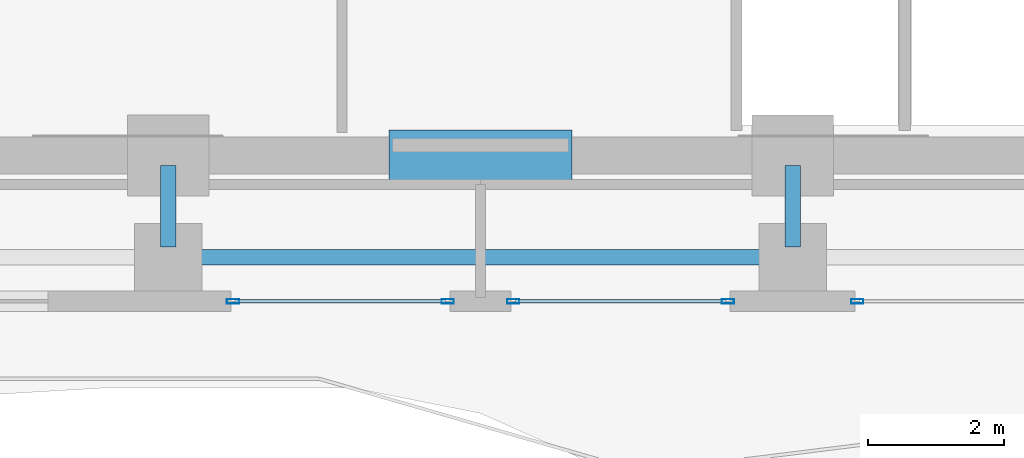
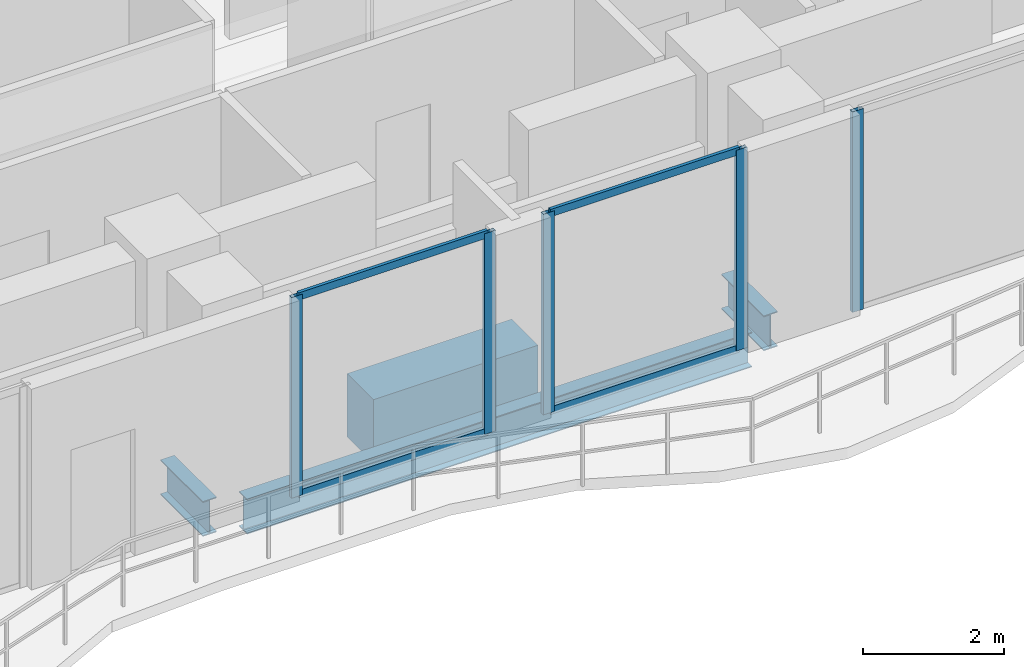
# One storey, part 4 of 23: 9 members, 4 beams, 3 elements without a shape of their own.
"""IFC4 building model written with IfcOpenShell, lengths in metres."""

from ifc_helpers import new_model, si_unit, direction, frame, origin, origin_2d, place, context, subcontext, project, spatial, rectangle, hollow_rectangle, i_section, extrude, material, layer, layer_set, material_profile, profile_set, type_object, element, aggregate, save


model = new_model("IFC4")

# Units and contexts
model_context = context("Model", 3, precision=1e-05, world=origin(), true_north=direction((0.0, 1.0)))
body_context = subcontext(model_context, "Body", "Model", "MODEL_VIEW")
ifc_project = project(units=[si_unit("LENGTHUNIT", "METRE"), si_unit("AREAUNIT", "SQUARE_METRE"), si_unit("VOLUMEUNIT", "CUBIC_METRE"), si_unit("PLANEANGLEUNIT", "RADIAN"), si_unit("MASSUNIT", "GRAM", prefix="KILO")], contexts=[model_context])

# Site, building, storey
site_placement = place(None, origin())
site = spatial("IfcSite", under=ifc_project, at=site_placement, CompositionType="ELEMENT")
building_placement = place(site_placement, origin())
building = spatial("IfcBuilding", under=site, at=building_placement, Name="Zuhayl Quay Hotel", CompositionType="ELEMENT")
storey_placement = place(building_placement, frame((0.0, 0.0, 261.85009765625)))
storey = spatial("IfcBuildingStorey", under=building, at=storey_placement, Name="L66", CompositionType="ELEMENT", Elevation=261.85009765625)

# Beams
ifc_material_1 = material(Name="Steel ASTM A992 Grade 50", Category="steel")
ifc_material_profile_1 = material_profile(ifc_material_1, i_section(OverallWidth=0.22802734375, OverallDepth=0.60693359375, WebThickness=0.01123046875, FlangeThickness=0.017333984375, at=origin_2d()), Name="W24X76")
ifc_profile_set_1 = profile_set([ifc_material_profile_1], Name="Steel ASTM A992 Grade 50")
beam_type_1 = type_object("IfcBeamType", Name="BM_B3_W24X76", PredefinedType="BEAM", material=ifc_profile_set_1)
beam_1_placement = place(storey_placement, frame((-4.139892578125, 0.64990234375, -0.523681640625), z_axis=(1.0, 0.0, 0.0), x_axis=(0.0, 1.0, 0.0)))
element("IfcBeam", 1, at=beam_1_placement, inside=storey, type_object=beam_type_1, Name="L66 Floor Beam RG_L66_02", PredefinedType="BEAM", context=body_context, shape_type="SweptSolid", body=[
    extrude(i_section(OverallWidth=0.22802734375, OverallDepth=0.60693359375, WebThickness=0.01123046875, FlangeThickness=0.017333984375, at=origin_2d()), origin(), (0.0, 0.0, 1.0), 8.27978515625),
])
for number, where, z_axis, x_axis, name in (
    (2, (-4.60009765625, 0.800048828125, -0.523681640625), (0.0, 1.0, 0.0), (-1.0, 0.0, 0.0), "L66 Floor Beam FG_S_L66_2"),
    (3, (4.60009765625, 0.800048828125, -0.523681640625), (0.0, 1.0, 0.0), (-1.0, 0.0, 0.0), "L66 Floor Beam FG_S_L66_3"),
):
    element("IfcBeam", number, at=place(storey_placement, frame(where, z_axis=z_axis, x_axis=x_axis)), inside=storey, type_object=beam_type_1, Name=name, PredefinedType="BEAM", context=body_context, shape_type="SweptSolid", body=[
        extrude(i_section(OverallWidth=0.22802734375, OverallDepth=0.60693359375, WebThickness=0.01123046875, FlangeThickness=0.017333984375, at=origin_2d()), origin(), (0.0, 0.0, 1.0), 1.199951171875),
    ])
ifc_material_2 = material(Name="Concrete C60/75", Category="concrete")
ifc_material_profile_2 = material_profile(ifc_material_2, rectangle(XDim=0.75, YDim=1.10009765625, at=origin_2d()), Name="RC750X1100")
ifc_profile_set_2 = profile_set([ifc_material_profile_2], Name="Concrete C60/75")
beam_type_2 = type_object("IfcBeamType", Name="BM_CB2_RC750", PredefinedType="T_BEAM", material=ifc_profile_set_2)
beam_2_placement = place(storey_placement, frame((-1.35009765625, 2.14990234375, -0.77001953125), z_axis=(1.0, 0.0, 0.0), x_axis=(0.0, 1.0, 0.0)))
element("IfcBeam", 4, at=beam_2_placement, inside=storey, type_object=beam_type_2, Name="L66 Core Coupling Beam South", PredefinedType="T_BEAM", context=body_context, shape_type="SweptSolid", body=[
    extrude(rectangle(XDim=0.75, YDim=1.10009765625, at=origin_2d()), origin(), (0.0, 0.0, 1.0), 2.7001953125),
])

# Curtain wall, member
ifc_material_3 = material(Name="Anodised Aluminium 6063-T6", Category="aluminium")
ifc_layer = layer(ifc_material_3, 0.169921875, Name="Anodised Aluminium 6063-T6", Category="aluminium")
ifc_layer_set = layer_set([ifc_layer], Name="Anodised Aluminium 6063-T6")
curtain_wall_type = type_object("IfcCurtainWallType", Name="CW_SYS_Z4", PredefinedType="USERDEFINED", material=ifc_layer_set)
curtain_wall_1_placement = place(storey_placement, origin())
curtain_wall_1 = element("IfcCurtainWall", 5, at=curtain_wall_1_placement, inside=storey, type_object=curtain_wall_type, Name="L66 Curtain Wall ENV_L66_S_CW1", ObjectType="UNITISED CURTAIN WALL", PredefinedType="USERDEFINED")
ifc_material_4 = material(Name="Black-anodised aluminium 6063-T6", Category="aluminium")
ifc_material_profile_3 = material_profile(ifc_material_4, hollow_rectangle(XDim=0.06494140625, YDim=0.179931640625, WallThickness=0.00341796875, at=origin_2d()), Name="ALU180X65")
ifc_profile_set_3 = profile_set([ifc_material_profile_3], Name="Black-anodised aluminium 6063-T6")
member_type_1 = type_object("IfcMemberType", Name="MB_CW_MUL_180", PredefinedType="MULLION", material=ifc_profile_set_3)
member_1_placement = place(storey_placement, frame((5.552490234375, 0.0, 0.0), z_axis=(0.0, 0.0, 1.0), x_axis=(0.0, -1.0, 0.0)))
member_1 = element("IfcMember", 6, at=member_1_placement, type_object=member_type_1, Name="CW-Z4 mullion 2", PredefinedType="MULLION", context=body_context, shape_type="SweptSolid", body=[
    extrude(hollow_rectangle(XDim=0.06494140625, YDim=0.179931640625, WallThickness=0.00341796875, at=origin_2d()), origin(), (0.0, 0.0, 1.0), 3.47998046875),
])
aggregate(curtain_wall_1, [member_1])

# Curtain wall, members
curtain_wall_2_placement = place(storey_placement, origin())
curtain_wall_2 = element("IfcCurtainWall", 7, at=curtain_wall_2_placement, inside=storey, type_object=curtain_wall_type, Name="L66 Curtain Wall ENV_L66_S_CW2", ObjectType="UNITISED CURTAIN WALL", PredefinedType="USERDEFINED")
member_2_placement = place(storey_placement, frame((3.6474609375, 0.0, 0.0), z_axis=(0.0, 0.0, 1.0), x_axis=(0.0, -1.0, 0.0)))
member_2 = element("IfcMember", 8, at=member_2_placement, type_object=member_type_1, Name="CW-Z4 mullion 1", PredefinedType="MULLION", context=body_context, shape_type="SweptSolid", body=[
    extrude(hollow_rectangle(XDim=0.06494140625, YDim=0.179931640625, WallThickness=0.00341796875, at=origin_2d()), origin(), (0.0, 0.0, 1.0), 3.47998046875),
])
member_3_placement = place(storey_placement, frame((0.482421875, 0.0, 0.0), z_axis=(0.0, 0.0, 1.0), x_axis=(0.0, -1.0, 0.0)))
member_3 = element("IfcMember", 9, at=member_3_placement, type_object=member_type_1, Name="CW-Z4 mullion 2", PredefinedType="MULLION", context=body_context, shape_type="SweptSolid", body=[
    extrude(hollow_rectangle(XDim=0.06494140625, YDim=0.179931640625, WallThickness=0.00341796875, at=origin_2d()), origin(), (0.0, 0.0, 1.0), 3.47998046875),
])

curtain_wall_3_placement = place(storey_placement, origin())
curtain_wall_3 = element("IfcCurtainWall", 10, at=curtain_wall_3_placement, inside=storey, type_object=curtain_wall_type, Name="L66 Curtain Wall ENV_L66_S_CW3", ObjectType="UNITISED CURTAIN WALL", PredefinedType="USERDEFINED")
member_4_placement = place(storey_placement, frame((-0.482421875, 0.0, 0.0), z_axis=(0.0, 0.0, 1.0), x_axis=(0.0, -1.0, 0.0)))
member_4 = element("IfcMember", 11, at=member_4_placement, type_object=member_type_1, Name="CW-Z4 mullion 1", PredefinedType="MULLION", context=body_context, shape_type="SweptSolid", body=[
    extrude(hollow_rectangle(XDim=0.06494140625, YDim=0.179931640625, WallThickness=0.00341796875, at=origin_2d()), origin(), (0.0, 0.0, 1.0), 3.47998046875),
])
member_5_placement = place(storey_placement, frame((-3.6474609375, 0.0, 0.0), z_axis=(0.0, 0.0, 1.0), x_axis=(0.0, -1.0, 0.0)))
member_5 = element("IfcMember", 12, at=member_5_placement, type_object=member_type_1, Name="CW-Z4 mullion 2", PredefinedType="MULLION", context=body_context, shape_type="SweptSolid", body=[
    extrude(hollow_rectangle(XDim=0.06494140625, YDim=0.179931640625, WallThickness=0.00341796875, at=origin_2d()), origin(), (0.0, 0.0, 1.0), 3.47998046875),
])

# Member
ifc_material_profile_4 = material_profile(ifc_material_4, hollow_rectangle(XDim=0.054931640625, YDim=0.1298828125, WallThickness=0.0029296875, at=origin_2d()), Name="ALU130X55")
ifc_profile_set_4 = profile_set([ifc_material_profile_4], Name="Black-anodised aluminium 6063-T6")
member_type_2 = type_object("IfcMemberType", Name="MB_CW_TRN_130", PredefinedType="USERDEFINED", material=ifc_profile_set_4)
member_6_placement = place(storey_placement, frame((3.614990234375, 0.0, 0.02734375), z_axis=(-1.0, 0.0, 0.0), x_axis=(0.0, -1.0, 0.0)))
member_6 = element("IfcMember", 13, at=member_6_placement, type_object=member_type_2, Name="CW-Z4 transom 1.1", ObjectType="TRANSOM", PredefinedType="USERDEFINED", context=body_context, shape_type="SweptSolid", body=[
    extrude(hollow_rectangle(XDim=0.054931640625, YDim=0.1298828125, WallThickness=0.0029296875, at=origin_2d()), origin(), (0.0, 0.0, 1.0), 3.10009765625),
])

member_7_placement = place(storey_placement, frame((3.614990234375, 0.0, 3.452392578125), z_axis=(-1.0, 0.0, 0.0), x_axis=(0.0, -1.0, 0.0)))
member_7 = element("IfcMember", 14, at=member_7_placement, type_object=member_type_2, Name="CW-Z4 transom 1.2", ObjectType="TRANSOM", PredefinedType="USERDEFINED", context=body_context, shape_type="SweptSolid", body=[
    extrude(hollow_rectangle(XDim=0.054931640625, YDim=0.1298828125, WallThickness=0.0029296875, at=origin_2d()), origin(), (0.0, 0.0, 1.0), 3.10009765625),
])

aggregate(curtain_wall_2, [member_2, member_3, member_6, member_7])

member_8_placement = place(storey_placement, frame((-0.514892578125, 0.0, 0.02734375), z_axis=(-1.0, 0.0, 0.0), x_axis=(0.0, -1.0, 0.0)))
member_8 = element("IfcMember", 15, at=member_8_placement, type_object=member_type_2, Name="CW-Z4 transom 1.1", ObjectType="TRANSOM", PredefinedType="USERDEFINED", context=body_context, shape_type="SweptSolid", body=[
    extrude(hollow_rectangle(XDim=0.054931640625, YDim=0.1298828125, WallThickness=0.0029296875, at=origin_2d()), origin(), (0.0, 0.0, 1.0), 3.10009765625),
])

member_9_placement = place(storey_placement, frame((-0.514892578125, 0.0, 3.452392578125), z_axis=(-1.0, 0.0, 0.0), x_axis=(0.0, -1.0, 0.0)))
member_9 = element("IfcMember", 16, at=member_9_placement, type_object=member_type_2, Name="CW-Z4 transom 1.2", ObjectType="TRANSOM", PredefinedType="USERDEFINED", context=body_context, shape_type="SweptSolid", body=[
    extrude(hollow_rectangle(XDim=0.054931640625, YDim=0.1298828125, WallThickness=0.0029296875, at=origin_2d()), origin(), (0.0, 0.0, 1.0), 3.10009765625),
])

aggregate(curtain_wall_3, [member_4, member_5, member_8, member_9])

save(model, "model.ifc")
